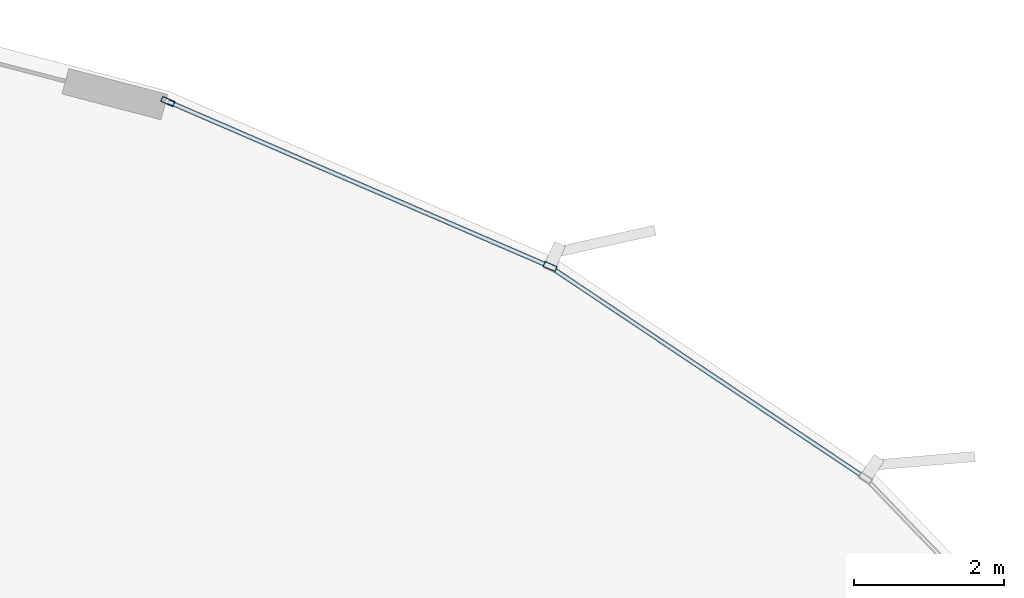
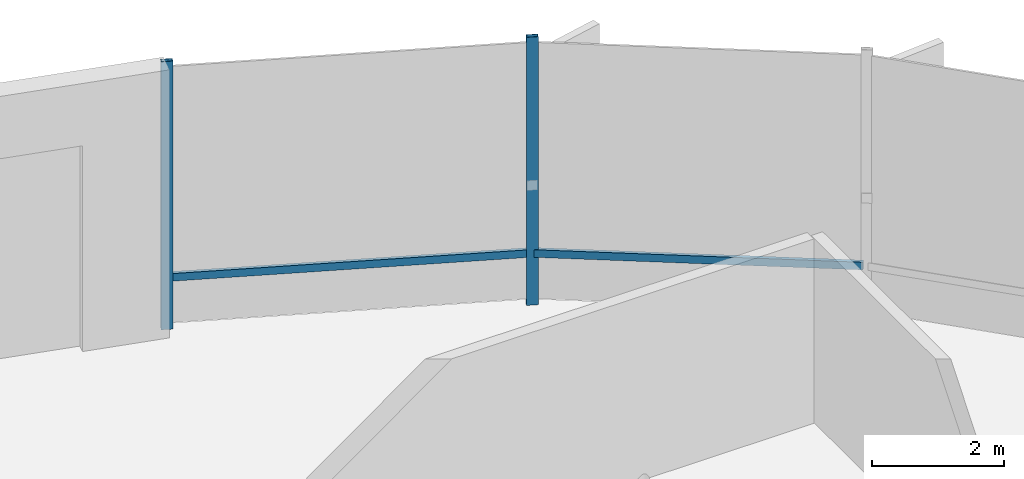
# One storey, part 21 of 35: 4 members, 1 element without a shape of its own.
"""IFC4 building model written with IfcOpenShell, lengths in metres."""

from ifc_helpers import new_model, si_unit, direction, frame, origin, origin_2d, place, context, subcontext, project, spatial, hollow_rectangle, extrude, source, transform, mapped, material, layer, layer_set, material_profile, profile_set, type_object, element, aggregate, save


model = new_model("IFC4")

# Units and contexts
model_context = context("Model", 3, precision=1e-05, world=origin(), true_north=direction((0.0, 1.0)))
body_context = subcontext(model_context, "Body", "Model", "MODEL_VIEW")
ifc_project = project(units=[si_unit("LENGTHUNIT", "METRE"), si_unit("AREAUNIT", "SQUARE_METRE"), si_unit("VOLUMEUNIT", "CUBIC_METRE"), si_unit("PLANEANGLEUNIT", "RADIAN"), si_unit("MASSUNIT", "GRAM", prefix="KILO"), si_unit("THERMODYNAMICTEMPERATUREUNIT", "KELVIN")], contexts=[model_context])

# Site, building, storey
site_placement = place(None, origin())
site = spatial("IfcSite", under=ifc_project, at=site_placement, CompositionType="ELEMENT")
building_placement = place(site_placement, origin())
building = spatial("IfcBuilding", under=site, at=building_placement, Name="Kethvar Cultural Tower", CompositionType="ELEMENT")
storey_placement = place(building_placement, origin())
storey = spatial("IfcBuildingStorey", under=building, at=storey_placement, Name="L00", CompositionType="ELEMENT", Elevation=0.0)

# Curtain wall, members
ifc_material = material(Name="Aluminium 6063-T6", Category="aluminium")
ifc_layer = layer(ifc_material, 0.179931640625, Name="Aluminium 6063-T6", Category="aluminium")
ifc_layer_set = layer_set([ifc_layer], Name="Aluminium 6063-T6 (180 mm)")
curtain_wall_type = type_object("IfcCurtainWallType", Name="CW-SYS-01-POD", PredefinedType="NOTDEFINED", material=ifc_layer_set)
curtain_wall_placement = place(storey_placement, origin())
curtain_wall = element("IfcCurtainWall", 1, at=curtain_wall_placement, inside=storey, type_object=curtain_wall_type, Name="L00 Curtain Wall Run 01", PredefinedType="NOTDEFINED")
ifc_material_profile_1 = material_profile(ifc_material, hollow_rectangle(XDim=0.074951171875, YDim=0.179931640625, WallThickness=0.006103515625, at=origin_2d()), Name="Aluminium 6063-T6 — RHS180x75x6")
ifc_profile_set_1 = profile_set([ifc_material_profile_1], Name="Aluminium 6063-T6 — RHS180x75x6")
member_type_1 = type_object("IfcMemberType", Name="CW-SYS-01-POD-MUL", PredefinedType="MULLION", material=ifc_profile_set_1)
shared_shape_1 = source(origin(), body_context, "Body", "SweptSolid", [
    extrude(hollow_rectangle(XDim=0.074951171875, YDim=0.179931640625, WallThickness=0.006103515625, at=origin_2d()), origin(), (0.0, 0.0, 1.0), 4.949951171875),
])
member_1_placement = place(storey_placement, frame((71.27490234375, 50.164794921875, 0.0), z_axis=(0.0, 0.0, 1.0), x_axis=(-0.396410942082, -0.918073180633, 0.0)))
member_1 = element("IfcMember", 2, at=member_1_placement, type_object=member_type_1, Name="CW-L00-R01 Mullion 6", PredefinedType="MULLION", context=body_context, shape_type="MappedRepresentation", body=[
    mapped(shared_shape_1, transform((0.0, 0.0, 0.0), scale=1.0)),
])
member_2_placement = place(storey_placement, frame((66.16650390625, 52.370361328125, 0.0), z_axis=(0.0, 0.0, 1.0), x_axis=(-0.396410942082, -0.918073180633, 0.0)))
member_2 = element("IfcMember", 3, at=member_2_placement, type_object=member_type_1, Name="CW-L00-R01 Mullion 7", PredefinedType="MULLION", context=body_context, shape_type="MappedRepresentation", body=[
    mapped(shared_shape_1, transform((0.0, 0.0, 0.0), scale=1.0)),
])
ifc_material_profile_2 = material_profile(ifc_material, hollow_rectangle(XDim=0.06005859375, YDim=0.139892578125, WallThickness=0.0048828125, at=origin_2d()), Name="Aluminium 6063-T6 — RHS140x60x5")
ifc_profile_set_2 = profile_set([ifc_material_profile_2], Name="Aluminium 6063-T6 — RHS140x60x5")
member_type_2 = type_object("IfcMemberType", Name="CW-SYS-01-POD-TRN", PredefinedType="USERDEFINED", material=ifc_profile_set_2)
shared_shape_2 = source(origin(), body_context, "Body", "SweptSolid", [
    extrude(hollow_rectangle(XDim=0.06005859375, YDim=0.139892578125, WallThickness=0.0048828125, at=origin_2d()), origin(), (0.0, 0.0, 1.0), 4.991455078125),
])
member_3_placement = place(storey_placement, frame((75.44580078125, 47.367919921875, 0.949951171875), z_axis=(-0.830806616573, 0.556561196867, 0.0), x_axis=(-0.556561196867, -0.830806616573, 0.0)))
member_3 = element("IfcMember", 4, at=member_3_placement, type_object=member_type_2, Name="CW-L00-R01 Transom 5", ObjectType="TRANSOM", PredefinedType="USERDEFINED", context=body_context, shape_type="MappedRepresentation", body=[
    mapped(shared_shape_2, transform((0.0, 0.0, 0.0), scale=1.0)),
])
shared_shape_3 = source(origin(), body_context, "Body", "SweptSolid", [
    extrude(hollow_rectangle(XDim=0.06005859375, YDim=0.139892578125, WallThickness=0.0048828125, at=origin_2d()), origin(), (0.0, 0.0, 1.0), 5.504638671875),
])
member_4_placement = place(storey_placement, frame((71.22509765625, 50.18603515625, 0.949951171875), z_axis=(-0.918072625283, 0.39641222825, 0.0), x_axis=(-0.39641222825, -0.918072625283, 0.0)))
member_4 = element("IfcMember", 5, at=member_4_placement, type_object=member_type_2, Name="CW-L00-R01 Transom 6", ObjectType="TRANSOM", PredefinedType="USERDEFINED", context=body_context, shape_type="MappedRepresentation", body=[
    mapped(shared_shape_3, transform((0.0, 0.0, 0.0), scale=1.0)),
])
aggregate(curtain_wall, [member_1, member_2, member_3, member_4])

save(model, "model.ifc")
